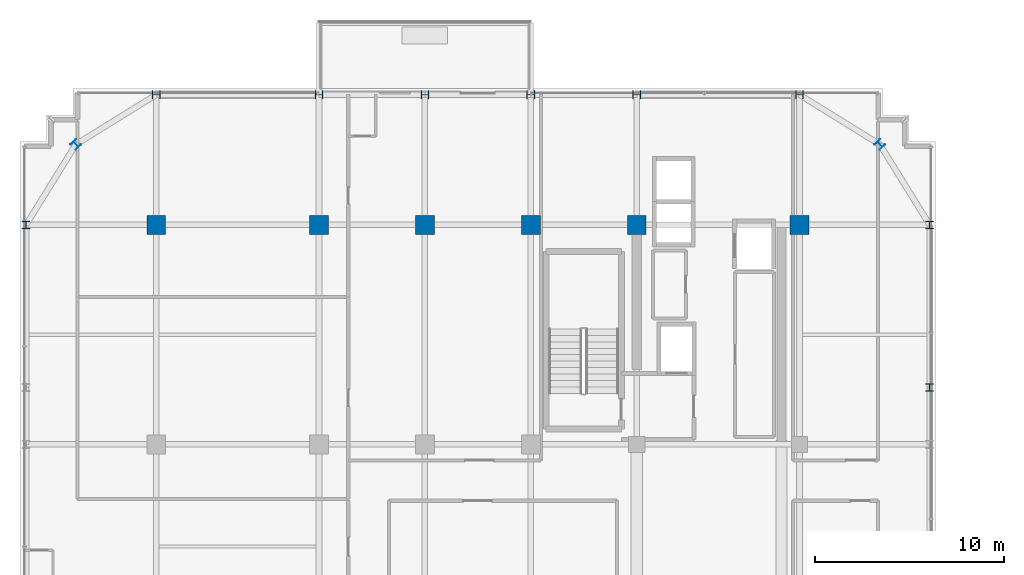
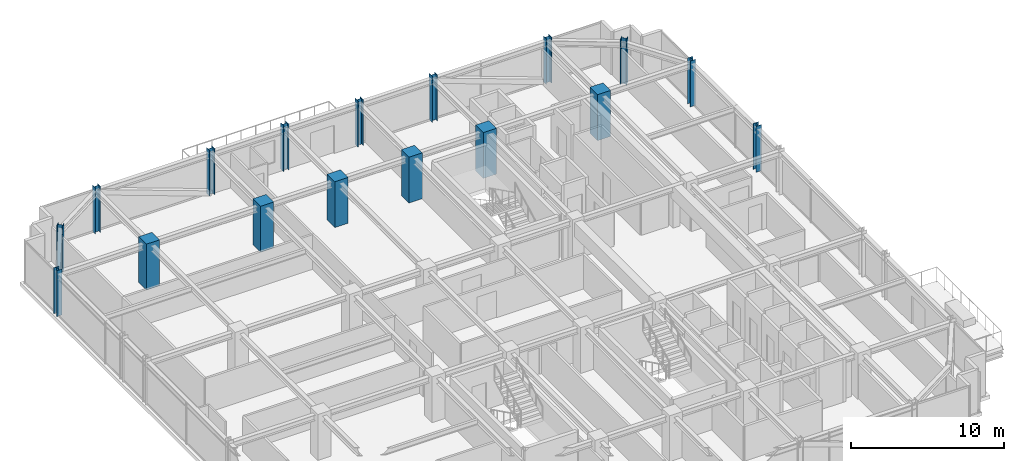
# One storey, part 3 of 42: 17 columns.
"""IFC4 building model written with IfcOpenShell, lengths in metres."""

from ifc_helpers import new_model, si_unit, direction, frame, origin, origin_2d, place, context, subcontext, project, spatial, rectangle, i_section, extrude, source, transform, mapped, material, material_profile, profile_set, type_object, element, save


model = new_model("IFC4")

# Units and contexts
model_context = context("Model", 3, precision=1e-05, world=origin(), true_north=direction((0.0, 1.0)))
body_context = subcontext(model_context, "Body", "Model", "MODEL_VIEW")
ifc_project = project(units=[si_unit("LENGTHUNIT", "METRE"), si_unit("AREAUNIT", "SQUARE_METRE"), si_unit("VOLUMEUNIT", "CUBIC_METRE"), si_unit("PLANEANGLEUNIT", "RADIAN"), si_unit("MASSUNIT", "GRAM", prefix="KILO")], contexts=[model_context])

# Site, building, storey
site_placement = place(None, origin())
site = spatial("IfcSite", under=ifc_project, at=site_placement, CompositionType="ELEMENT")
building_placement = place(site_placement, origin())
building = spatial("IfcBuilding", under=site, at=building_placement, Name="Nahalor Promenade Grand Hotel", CompositionType="ELEMENT")
storey_placement = place(building_placement, frame((0.0, 0.0, 249.300048828125)))
storey = spatial("IfcBuildingStorey", under=building, at=storey_placement, Name="L64", CompositionType="ELEMENT", Elevation=249.300048828125)

# Columns
ifc_material_1 = material(Name="Concrete B-60 (C50/60)", Category="concrete")
ifc_material_profile_1 = material_profile(ifc_material_1, rectangle(XDim=1.0, YDim=1.0, at=origin_2d()), Name="RC 1000x1000")
ifc_profile_set_1 = profile_set([ifc_material_profile_1], Name="Concrete B-60 (C50/60)")
column_type_1 = type_object("IfcColumnType", Name="Col-RC-1000", PredefinedType="COLUMN", material=ifc_profile_set_1)
shared_shape_1 = source(origin(), body_context, "Body", "SweptSolid", [
    extrude(rectangle(XDim=1.0, YDim=1.0, at=origin_2d()), origin(), (0.0, 0.0, 1.0), 3.655029296875),
])
for number, where, z_axis, x_axis, name in (
    (1, (-17.0, 17.0, 0.0), (0.0, 0.0, 1.0), (1.0, 0.0, 0.0), "COL-L64-I03"),
    (2, (-8.39990234375, 17.0, 0.0), (0.0, 0.0, 1.0), (1.0, 0.0, 0.0), "COL-L64-I13"),
    (3, (-2.800048828125, 17.0, 0.0), (0.0, 0.0, 1.0), (1.0, 0.0, 0.0), "COL-L64-I23"),
    (4, (2.800048828125, 17.0, 0.0), (0.0, 0.0, 1.0), (1.0, 0.0, 0.0), "COL-L64-I33"),
    (5, (8.39990234375, 17.0, 0.0), (0.0, 0.0, 1.0), (1.0, 0.0, 0.0), "COL-L64-I43"),
    (6, (17.0, 17.0, 0.0), (0.0, 0.0, 1.0), (1.0, 0.0, 0.0), "COL-L64-I53"),
):
    element("IfcColumn", number, at=place(storey_placement, frame(where, z_axis=z_axis, x_axis=x_axis)), inside=storey, type_object=column_type_1, Name=name, PredefinedType="COLUMN", context=body_context, shape_type="MappedRepresentation", body=[
        mapped(shared_shape_1, transform((0.0, 0.0, 0.0), scale=1.0)),
    ])
ifc_material_2 = material(Name="Steel S355JR", Category="steel")
ifc_material_profile_2 = material_profile(ifc_material_2, i_section(OverallWidth=0.401, OverallDepth=0.406, WebThickness=0.0161, FlangeThickness=0.025, at=origin_2d()), Name="HD 400x314")
ifc_profile_set_2 = profile_set([ifc_material_profile_2], Name="Steel S355JR")
column_type_2 = type_object("IfcColumnType", Name="Col-Steel-HD314", PredefinedType="COLUMN", material=ifc_profile_set_2)
shared_shape_2 = source(origin(), body_context, "Body", "SweptSolid", [
    extrude(i_section(OverallWidth=0.401, OverallDepth=0.406, WebThickness=0.0161, FlangeThickness=0.025, at=origin_2d()), origin(), (0.0, 0.0, 1.0), 3.655029296875),
])
for number, where, z_axis, x_axis, name in (
    (7, (23.8798828125, 8.39990234375, 0.0), (0.0, 0.0, 1.0), (1.0, 0.0, 0.0), "COL-L64-PW-E4"),
    (8, (-23.8798828125, 17.0, 0.0), (0.0, 0.0, 1.0), (1.0, 0.0, 0.0), "COL-L64-PW-W5"),
    (9, (23.8798828125, 17.0, 0.0), (0.0, 0.0, 1.0), (1.0, 0.0, 0.0), "COL-L64-PW-E5"),
    (10, (-17.0, 23.8798828125, 0.0), (0.0, 0.0, 1.0), (0.0, 1.0, 0.0), "COL-L64-PN-N0"),
    (11, (-8.39990234375, 23.8798828125, 0.0), (0.0, 0.0, 1.0), (0.0, 1.0, 0.0), "COL-L64-PN-N1"),
    (12, (-2.800048828125, 23.8798828125, 0.0), (0.0, 0.0, 1.0), (0.0, 1.0, 0.0), "COL-L64-PN-N2"),
    (13, (2.800048828125, 23.8798828125, 0.0), (0.0, 0.0, 1.0), (0.0, 1.0, 0.0), "COL-L64-PN-N3"),
    (14, (8.39990234375, 23.8798828125, 0.0), (0.0, 0.0, 1.0), (0.0, 1.0, 0.0), "COL-L64-PN-N4"),
    (15, (17.0, 23.8798828125, 0.0), (0.0, 0.0, 1.0), (0.0, 1.0, 0.0), "COL-L64-PN-N5"),
    (16, (-21.25, 21.25, 0.0), (0.0, 0.0, 1.0), (0.707106781187, 0.707106781187, 0.0), "COL-L64-CRN-NW"),
    (17, (21.25, 21.25, 0.0), (0.0, 0.0, 1.0), (0.707106781187, 0.707106781187, 0.0), "COL-L64-CRN-NE"),
):
    element("IfcColumn", number, at=place(storey_placement, frame(where, z_axis=z_axis, x_axis=x_axis)), inside=storey, type_object=column_type_2, Name=name, PredefinedType="COLUMN", context=body_context, shape_type="MappedRepresentation", body=[
        mapped(shared_shape_2, transform((0.0, 0.0, 0.0), scale=1.0)),
    ])

save(model, "model.ifc")
